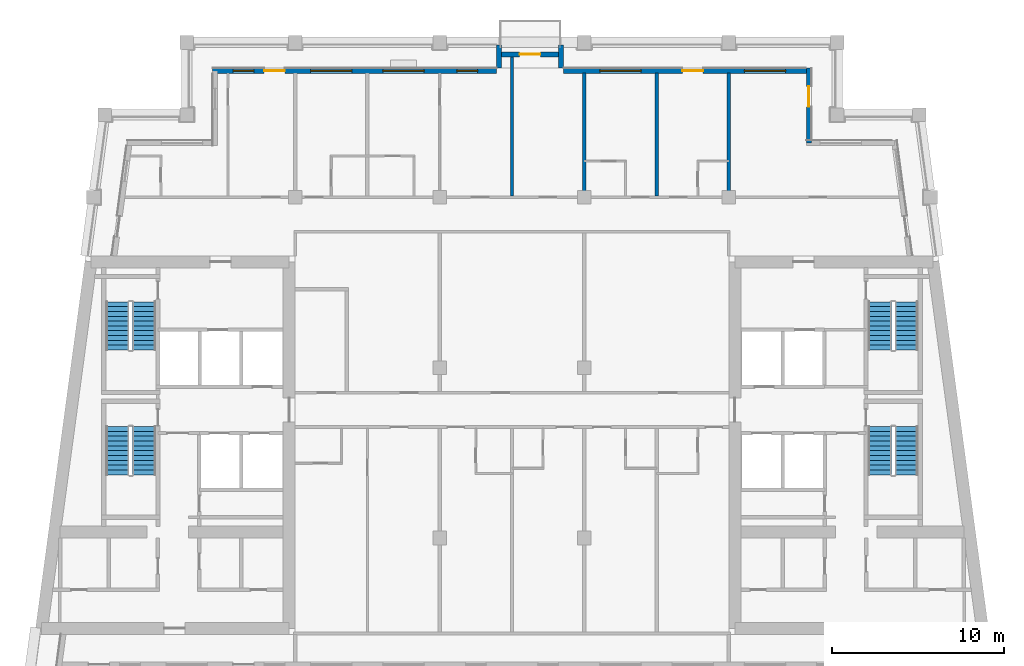
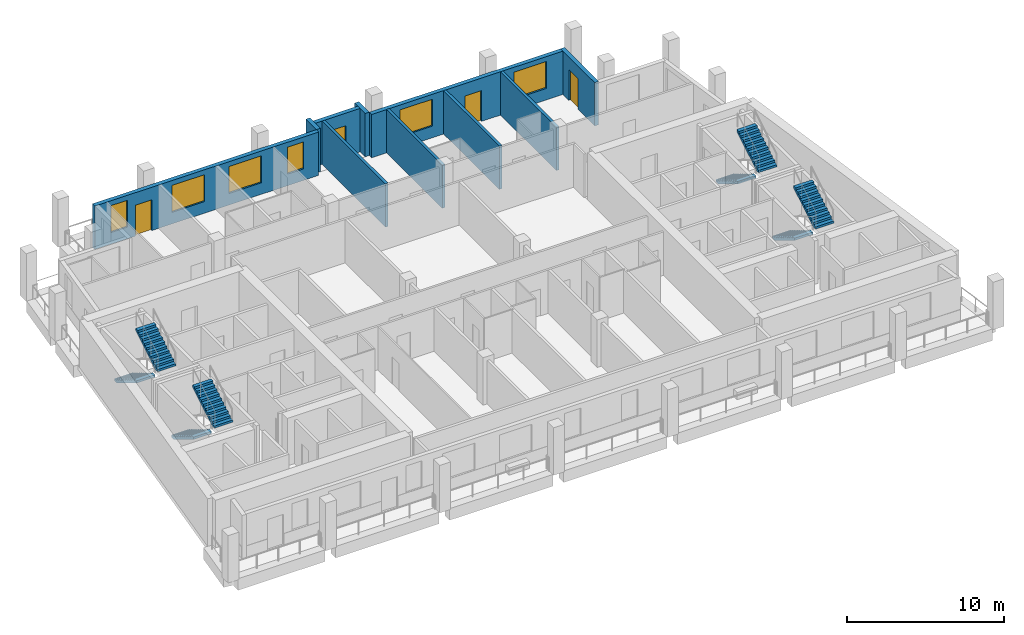
# One storey, part 7 of 13: 10 walls, 8 stair flights, 6 windows, 4 doors, 10 openings, 4 elements without a shape of their own.
"""IFC4 building model written with IfcOpenShell, lengths in metres."""

import ifcopenshell
import ifcopenshell.guid

model = None  # the IFC model being written
_history = None  # IfcOwnerHistory: only IFC2X3 demands one
_inside = {}  # id of a spatial element -> (the spatial element, [elements in it])
_under = {}  # id of a project, library or spatial element -> (it, [spatial elements below it])
_declared = {}  # id of a project -> (the project, [libraries it declares])
_typed = {}  # id of a type object -> (the type object, [elements of that type])
_made_of = {}  # id of a material, layer set ... -> (it, [elements and type objects made of it])


def new_model(schema):
    """Start an empty IFC model of exactly this schema.

    Asked for "IFC4X3", IfcOpenShell would pick the latest addendum, in which some entities
    have other attributes; the version numbers below select the first issue.
    IFC2X3 requires an IfcOwnerHistory on every rooted entity: one is made here for all.
    """
    global model, _history
    if schema == "IFC4X3":
        model = ifcopenshell.file(schema_version=(4, 3, 0, 0))
    else:
        model = ifcopenshell.file(schema=schema)
    _inside.clear()
    _under.clear()
    _declared.clear()
    _typed.clear()
    _made_of.clear()
    _history = None
    if model.schema == "IFC2X3":
        org = make("IfcOrganization", Name="unknown")
        user = make(
            "IfcPersonAndOrganization",
            ThePerson=make("IfcPerson", FamilyName="unknown"),
            TheOrganization=org,
        )
        app = make(
            "IfcApplication",
            ApplicationDeveloper=org,
            Version="unknown",
            ApplicationFullName="unknown",
            ApplicationIdentifier="unknown",
        )
        _history = make(
            "IfcOwnerHistory",
            OwningUser=user,
            OwningApplication=app,
            ChangeAction="ADDED",
            CreationDate=0,
        )
    return model


def make(cls, **values):
    """One entity of the class cls with the attributes given. An attribute that is None is left unset."""
    return model.create_entity(
        cls, **{name: value for name, value in values.items() if value is not None}
    )


def rooted(cls, **values):
    """An entity with a GlobalId (a new one), such as an element, a storey or a relation."""
    return make(cls, GlobalId=ifcopenshell.guid.new(), OwnerHistory=_history, **values)


def si_unit(unit_type, name, prefix=None):
    """IfcSIUnit, for example si_unit("LENGTHUNIT", "METRE", prefix="MILLI")."""
    return make("IfcSIUnit", UnitType=unit_type, Prefix=prefix, Name=name)


def assignment(units):
    """IfcUnitAssignment: the units of a project."""
    return None if units is None else make("IfcUnitAssignment", Units=units)


def point(xyz):
    """IfcCartesianPoint."""
    return None if xyz is None else make("IfcCartesianPoint", Coordinates=xyz)


def direction(xyz):
    """IfcDirection."""
    return None if xyz is None else make("IfcDirection", DirectionRatios=xyz)


def frame(location, z_axis=None, x_axis=None):
    """IfcAxis2Placement3D, a coordinate frame: its origin and axes. An axis left out is left unset."""
    return make(
        "IfcAxis2Placement3D",
        Location=point(location),
        Axis=direction(z_axis),
        RefDirection=direction(x_axis),
    )


def frame_2d(location, x_axis=None):
    """IfcAxis2Placement2D, a coordinate frame in the plane: its origin and x axis."""
    return make(
        "IfcAxis2Placement2D", Location=point(location), RefDirection=direction(x_axis)
    )


def origin():
    """The frame at (0, 0, 0) with its axes left unset."""
    return frame((0.0, 0.0, 0.0))


def place(relative_to, where):
    """IfcLocalPlacement: puts the frame where relative to a parent placement (None: the world)."""
    return make(
        "IfcLocalPlacement", PlacementRelTo=relative_to, RelativePlacement=where
    )


def context(
    kind, dimensions, precision=None, world=None, true_north=None, identifier=None
):
    """IfcGeometricRepresentationContext, for example the 3D "Model" context."""
    return make(
        "IfcGeometricRepresentationContext",
        ContextIdentifier=identifier,
        ContextType=kind,
        CoordinateSpaceDimension=dimensions,
        Precision=precision,
        WorldCoordinateSystem=world,
        TrueNorth=true_north,
    )


def subcontext(parent, identifier, kind, view, scale=None):
    """IfcGeometricRepresentationSubContext, for example "Body" below "Model"."""
    return make(
        "IfcGeometricRepresentationSubContext",
        ContextIdentifier=identifier,
        ContextType=kind,
        ParentContext=parent,
        TargetScale=scale,
        TargetView=view,
    )


def project(units=None, contexts=None):
    """IfcProject with its units and contexts."""
    return rooted(
        "IfcProject",
        Name="project",
        RepresentationContexts=contexts,
        UnitsInContext=assignment(units),
    )


def spatial(cls, under=None, at=None, **own):
    """A site, building, storey or space (cls), placed at a placement, below another one or the project."""
    s = rooted(cls, ObjectPlacement=at, **own)
    if under is not None:
        _under.setdefault(under.id(), (under, []))[1].append(s)
    return s


def polyline(points):
    """IfcPolyline through the points."""
    return make("IfcPolyline", Points=[point(p) for p in points])


def profile(cls, at=None, kind="AREA", **sizes):
    """A parametric profile (cls). Its sizes go by their IFC names, for example OverallWidth=200.0."""
    return make(cls, ProfileType=kind, Position=at, **sizes)


def rectangle(**sizes):
    """IfcRectangleProfileDef."""
    return profile("IfcRectangleProfileDef", **sizes)


def outline(outer, holes=None, kind="AREA"):
    """IfcArbitraryClosedProfileDef: a profile drawn as a closed curve; with holes, ...WithVoids."""
    if holes is None:
        return make("IfcArbitraryClosedProfileDef", ProfileType=kind, OuterCurve=outer)
    return make(
        "IfcArbitraryProfileDefWithVoids",
        ProfileType=kind,
        OuterCurve=outer,
        InnerCurves=holes,
    )


def extrude(swept, where, along, depth):
    """IfcExtrudedAreaSolid: the profile swept, set in the frame where, extruded along a direction by depth."""
    return make(
        "IfcExtrudedAreaSolid",
        SweptArea=swept,
        Position=where,
        ExtrudedDirection=direction(along),
        Depth=depth,
    )


def shape(context_of_items, identifier, shape_type, items):
    """IfcShapeRepresentation: the items that make up one representation, for example the "Body"."""
    return make(
        "IfcShapeRepresentation",
        ContextOfItems=context_of_items,
        RepresentationIdentifier=identifier,
        RepresentationType=shape_type,
        Items=items,
    )


def material(Name=None, Category=None):
    """IfcMaterial."""
    return make("IfcMaterial", Name=Name, Category=Category)


def layer(
    of_material, thickness, ventilated=None, Name=None, Category=None, Priority=None
):
    """IfcMaterialLayer: one layer of a wall or slab, of a material (None: an air gap)."""
    return make(
        "IfcMaterialLayer",
        Material=of_material,
        LayerThickness=thickness,
        IsVentilated=ventilated,
        Name=Name,
        Category=Category,
        Priority=Priority,
    )


def layer_set(layers, Name=None):
    """IfcMaterialLayerSet."""
    return make("IfcMaterialLayerSet", MaterialLayers=layers, LayerSetName=Name)


def made_of(thing, what):
    """Note that an element or type object is made of a material, layer set ...; save() writes the relation."""
    if what is not None:
        _made_of.setdefault(what.id(), (what, []))[1].append(thing)
    return thing


def type_object(cls, material=None, **own):
    """A type object (cls), such as IfcWallType, which elements share."""
    return made_of(rooted(cls, **own), material)


def element(
    cls,
    number,
    at=None,
    inside=None,
    cuts=None,
    type_object=None,
    material=None,
    context=None,
    identifier="Body",
    shape_type=None,
    held_by="IfcProductDefinitionShape",
    body=None,
    shapes=None,
    **own,
):
    """One element of the class cls, such as IfcWall. Its Tag is "e" and its number.

    at: its placement. inside: the storey or other place that contains it. cuts: it is an
    opening in that element (IfcRelVoidsElement). A single representation is given by context,
    identifier, shape_type and body (its items); several are given by shapes. held_by: the class
    of the entity that holds the representations. save() writes the other relations.
    """
    e = rooted(cls, Tag="e%d" % number, ObjectPlacement=at, **own)
    if body is not None:
        shapes = [shape(context, identifier, shape_type, body)]
    if shapes is not None:
        e.Representation = make(held_by, Representations=shapes)
    if inside is not None:
        _inside.setdefault(inside.id(), (inside, []))[1].append(e)
    if cuts is not None:
        rooted(
            "IfcRelVoidsElement", RelatingBuildingElement=cuts, RelatedOpeningElement=e
        )
    if type_object is not None:
        _typed.setdefault(type_object.id(), (type_object, []))[1].append(e)
    return made_of(e, material)


def fill(opening, filler):
    """IfcRelFillsElement: the door or window that sits in an opening."""
    return rooted(
        "IfcRelFillsElement",
        RelatingOpeningElement=opening,
        RelatedBuildingElement=filler,
    )


def aggregate(whole, parts):
    """IfcRelAggregates: a whole, such as a stair, and the parts it consists of."""
    return rooted("IfcRelAggregates", RelatingObject=whole, RelatedObjects=parts)


def save(model, path):
    """Write the relations noted so far, then the file.

    IfcRelAggregates (storeys below a building ...), IfcRelContainedInSpatialStructure (elements
    in a storey), IfcRelDefinesByType, IfcRelAssociatesMaterial and IfcRelDeclares: one each for
    every whole, place, type object, material and project.
    """
    for whole, parts in _under.values():
        aggregate(whole, parts)
    for where, things in _inside.values():
        rooted(
            "IfcRelContainedInSpatialStructure",
            RelatedElements=things,
            RelatingStructure=where,
        )
    for kind, things in _typed.values():
        rooted("IfcRelDefinesByType", RelatedObjects=things, RelatingType=kind)
    for what, things in _made_of.values():
        rooted("IfcRelAssociatesMaterial", RelatedObjects=things, RelatingMaterial=what)
    for by, libraries in _declared.values():
        rooted("IfcRelDeclares", RelatingContext=by, RelatedDefinitions=libraries)
    model.write(path)


model = new_model("IFC4")

# Units and contexts
model_context = context("Model", 3, precision=1e-05, world=origin(), true_north=direction((0.0, 1.0)))
body_context = subcontext(model_context, "Body", "Model", "MODEL_VIEW")
ifc_project = project(units=[si_unit("LENGTHUNIT", "METRE"), si_unit("AREAUNIT", "SQUARE_METRE"), si_unit("VOLUMEUNIT", "CUBIC_METRE"), si_unit("PLANEANGLEUNIT", "RADIAN"), si_unit("MASSUNIT", "GRAM", prefix="KILO")], contexts=[model_context])

# Site, building, storey
site_placement = place(None, origin())
site = spatial("IfcSite", under=ifc_project, at=site_placement, CompositionType="ELEMENT")
building_placement = place(site_placement, origin())
building = spatial("IfcBuilding", under=site, at=building_placement, Name="Candeia Pilgrim Tower and Theatre", CompositionType="ELEMENT")
storey_placement = place(building_placement, frame((0.0, 0.0, 277.5)))
storey = spatial("IfcBuildingStorey", under=building, at=storey_placement, Name="L67", CompositionType="ELEMENT", Elevation=277.5)

# Wall, opening, door
ifc_material_1 = material(Name="Ceramic block masonry", Category="masonry")
ifc_layer_1 = layer(ifc_material_1, 0.300048828125)
ifc_layer_set_1 = layer_set([ifc_layer_1], Name="EW1 glazing-line wall 300")
wall_type_1 = type_object("IfcWallType", Name="EW1 glazing-line wall 300", PredefinedType="SOLIDWALL", material=ifc_layer_set_1)
wall_1_placement = place(storey_placement, frame((130.64990234375, 138.949951171875, 0.0), z_axis=(0.0, 0.0, 1.0), x_axis=(0.0, 1.0, 0.0)))
wall_1 = element("IfcWall", 1, at=wall_1_placement, inside=storey, type_object=wall_type_1, Name="External wall L67-4.0", PredefinedType="SOLIDWALL", context=body_context, shape_type="SweptSolid", body=[
    extrude(rectangle(XDim=4.35009765625, YDim=0.300048828125, at=frame_2d((2.175048828125, 0.0))), origin(), (0.0, 0.0, 1.0), 3.3798828125),
])
opening_1_placement = place(wall_1_placement, frame((2.10009765625, 0.0, 0.0)))
opening_1 = element("IfcOpeningElement", 2, at=opening_1_placement, cuts=wall_1, Name="Opening L67-ED632", PredefinedType="OPENING", context=body_context, shape_type="SweptSolid", body=[
    extrude(rectangle(XDim=1.199951171875, YDim=2.39990234375, at=frame_2d((0.60009765625, 1.199951171875))), frame((0.0, 0.16015625, 0.0), z_axis=(0.0, -1.0, 0.0), x_axis=(1.0, 0.0, 0.0)), (0.0, 0.0, 1.0), 0.320068359375),
])
ifc_material_2 = material(Name="Aluminium framed glazed door", Category="aluminium")
door_type = type_object("IfcDoorType", Name="Loggia door 1200x2400", OperationType="DOUBLE_DOOR_SINGLE_SWING", PredefinedType="DOOR", material=ifc_material_2)
door_1_placement = place(opening_1_placement, origin())
door_1 = element("IfcDoor", 3, at=door_1_placement, inside=storey, type_object=door_type, Name="Loggia door L67-ED632", OperationType="DOUBLE_DOOR_SINGLE_SWING", OverallHeight=2.39990234375, OverallWidth=1.199951171875, PredefinedType="DOOR", context=body_context, shape_type="SweptSolid", body=[
    extrude(rectangle(XDim=1.199951171875, YDim=2.39990234375, at=frame_2d((0.60009765625, 1.199951171875))), frame((0.0, 0.02490234375, 0.0), z_axis=(0.0, -1.0, 0.0), x_axis=(1.0, 0.0, 0.0)), (0.0, 0.0, 1.0), 0.050048828125),
])
fill(opening_1, door_1)

# Wall, openings, door, windows
wall_2_placement = place(storey_placement, frame((130.64990234375, 143.14990234375, 0.0), z_axis=(0.0, 0.0, 1.0), x_axis=(-1.0, 0.0, 0.0)))
wall_2 = element("IfcWall", 4, at=wall_2_placement, inside=storey, type_object=wall_type_1, Name="External wall L67-5.0", PredefinedType="SOLIDWALL", context=body_context, shape_type="SweptSolid", body=[
    extrude(rectangle(XDim=14.25, YDim=0.300048828125, at=frame_2d((7.125, 0.0))), origin(), (0.0, 0.0, 1.0), 3.3798828125),
])
opening_2_placement = place(wall_2_placement, frame((1.35009765625, 0.0, 0.89990234375)))
opening_2 = element("IfcOpeningElement", 5, at=opening_2_placement, cuts=wall_2, Name="Opening W-A", PredefinedType="OPENING", context=body_context, shape_type="SweptSolid", body=[
    extrude(rectangle(XDim=2.39990234375, YDim=2.10009765625, at=frame_2d((1.199951171875, 1.050048828125))), frame((0.0, 0.16015625, 0.0), z_axis=(0.0, -1.0, 0.0), x_axis=(1.0, 0.0, 0.0)), (0.0, 0.0, 1.0), 0.320068359375),
])
opening_3_placement = place(wall_2_placement, frame((6.14990234375, 0.0, 0.0)))
opening_3 = element("IfcOpeningElement", 6, at=opening_3_placement, cuts=wall_2, Name="Opening L67-ED633", PredefinedType="OPENING", context=body_context, shape_type="SweptSolid", body=[
    extrude(rectangle(XDim=1.199951171875, YDim=2.39990234375, at=frame_2d((0.60009765625, 1.199951171875))), frame((0.0, 0.16015625, 0.0), z_axis=(0.0, -1.0, 0.0), x_axis=(1.0, 0.0, 0.0)), (0.0, 0.0, 1.0), 0.320068359375),
])
opening_4_placement = place(wall_2_placement, frame((9.75, 0.0, 0.89990234375)))
opening_4 = element("IfcOpeningElement", 7, at=opening_4_placement, cuts=wall_2, Name="Opening W-A", PredefinedType="OPENING", context=body_context, shape_type="SweptSolid", body=[
    extrude(rectangle(XDim=2.39990234375, YDim=2.10009765625, at=frame_2d((1.199951171875, 1.050048828125))), frame((0.0, 0.16015625, 0.0), z_axis=(0.0, -1.0, 0.0), x_axis=(1.0, 0.0, 0.0)), (0.0, 0.0, 1.0), 0.320068359375),
])
door_2_placement = place(opening_3_placement, origin())
door_2 = element("IfcDoor", 8, at=door_2_placement, inside=storey, type_object=door_type, Name="Loggia door L67-ED633", OperationType="DOUBLE_DOOR_SINGLE_SWING", OverallHeight=2.39990234375, OverallWidth=1.199951171875, PredefinedType="DOOR", context=body_context, shape_type="SweptSolid", body=[
    extrude(rectangle(XDim=1.199951171875, YDim=2.39990234375, at=frame_2d((0.60009765625, 1.199951171875))), frame((0.0, 0.02490234375, 0.0), z_axis=(0.0, -1.0, 0.0), x_axis=(1.0, 0.0, 0.0)), (0.0, 0.0, 1.0), 0.050048828125),
])
fill(opening_3, door_2)
ifc_material_3 = material(Name="Aluminium framed double glazing", Category="aluminium")
window_type_1 = type_object("IfcWindowType", Name="W-A window 2400x2100", PartitioningType="DOUBLE_PANEL_VERTICAL", PredefinedType="WINDOW", material=ifc_material_3)
window_1_placement = place(opening_2_placement, origin())
window_1 = element("IfcWindow", 9, at=window_1_placement, inside=storey, type_object=window_type_1, Name="Window W-A L67", OverallHeight=2.10009765625, OverallWidth=2.39990234375, PartitioningType="SINGLE_PANEL", PredefinedType="WINDOW", context=body_context, shape_type="SweptSolid", body=[
    extrude(rectangle(XDim=2.39990234375, YDim=2.10009765625, at=frame_2d((1.199951171875, 1.050048828125))), frame((0.0, 0.030029296875, 0.0), z_axis=(0.0, -1.0, 0.0), x_axis=(1.0, 0.0, 0.0)), (0.0, 0.0, 1.0), 0.06005859375),
])
fill(opening_2, window_1)
window_2_placement = place(opening_4_placement, origin())
window_2 = element("IfcWindow", 10, at=window_2_placement, inside=storey, type_object=window_type_1, Name="Window W-A L67", OverallHeight=2.10009765625, OverallWidth=2.39990234375, PartitioningType="SINGLE_PANEL", PredefinedType="WINDOW", context=body_context, shape_type="SweptSolid", body=[
    extrude(rectangle(XDim=2.39990234375, YDim=2.10009765625, at=frame_2d((1.199951171875, 1.050048828125))), frame((0.0, 0.030029296875, 0.0), z_axis=(0.0, -1.0, 0.0), x_axis=(1.0, 0.0, 0.0)), (0.0, 0.0, 1.0), 0.06005859375),
])
fill(opening_4, window_2)

wall_3_placement = place(storey_placement, frame((112.5, 143.14990234375, 0.0), z_axis=(0.0, 0.0, 1.0), x_axis=(-1.0, 0.0, 0.0)))
wall_3 = element("IfcWall", 11, at=wall_3_placement, inside=storey, type_object=wall_type_1, Name="External wall L67-5.1", PredefinedType="SOLIDWALL", context=body_context, shape_type="SweptSolid", body=[
    extrude(rectangle(XDim=16.5, YDim=0.300048828125, at=frame_2d((8.25, 0.0))), origin(), (0.0, 0.0, 1.0), 3.3798828125),
])
opening_5_placement = place(wall_3_placement, frame((1.10009765625, 0.0, 0.89990234375)))
opening_5 = element("IfcOpeningElement", 12, at=opening_5_placement, cuts=wall_3, Name="Opening W-B", PredefinedType="OPENING", context=body_context, shape_type="SweptSolid", body=[
    extrude(rectangle(XDim=1.199951171875, YDim=2.10009765625, at=frame_2d((0.60009765625, 1.050048828125))), frame((0.0, 0.16015625, 0.0), z_axis=(0.0, -1.0, 0.0), x_axis=(1.0, 0.0, 0.0)), (0.0, 0.0, 1.0), 0.320068359375),
])
opening_6_placement = place(wall_3_placement, frame((4.199951171875, 0.0, 0.89990234375)))
opening_6 = element("IfcOpeningElement", 13, at=opening_6_placement, cuts=wall_3, Name="Opening W-A", PredefinedType="OPENING", context=body_context, shape_type="SweptSolid", body=[
    extrude(rectangle(XDim=2.39990234375, YDim=2.10009765625, at=frame_2d((1.199951171875, 1.050048828125))), frame((0.0, 0.16015625, 0.0), z_axis=(0.0, -1.0, 0.0), x_axis=(1.0, 0.0, 0.0)), (0.0, 0.0, 1.0), 0.320068359375),
])
opening_7_placement = place(wall_3_placement, frame((8.39990234375, 0.0, 0.89990234375)))
opening_7 = element("IfcOpeningElement", 14, at=opening_7_placement, cuts=wall_3, Name="Opening W-A", PredefinedType="OPENING", context=body_context, shape_type="SweptSolid", body=[
    extrude(rectangle(XDim=2.39990234375, YDim=2.10009765625, at=frame_2d((1.199951171875, 1.050048828125))), frame((0.0, 0.16015625, 0.0), z_axis=(0.0, -1.0, 0.0), x_axis=(1.0, 0.0, 0.0)), (0.0, 0.0, 1.0), 0.320068359375),
])
opening_8_placement = place(wall_3_placement, frame((12.300048828125, 0.0, 0.0)))
opening_8 = element("IfcOpeningElement", 15, at=opening_8_placement, cuts=wall_3, Name="Opening L67-ED634", PredefinedType="OPENING", context=body_context, shape_type="SweptSolid", body=[
    extrude(rectangle(XDim=1.199951171875, YDim=2.39990234375, at=frame_2d((0.60009765625, 1.199951171875))), frame((0.0, 0.16015625, 0.0), z_axis=(0.0, -1.0, 0.0), x_axis=(1.0, 0.0, 0.0)), (0.0, 0.0, 1.0), 0.320068359375),
])
opening_9_placement = place(wall_3_placement, frame((14.10009765625, 0.0, 0.89990234375)))
opening_9 = element("IfcOpeningElement", 16, at=opening_9_placement, cuts=wall_3, Name="Opening W-B", PredefinedType="OPENING", context=body_context, shape_type="SweptSolid", body=[
    extrude(rectangle(XDim=1.199951171875, YDim=2.10009765625, at=frame_2d((0.60009765625, 1.050048828125))), frame((0.0, 0.16015625, 0.0), z_axis=(0.0, -1.0, 0.0), x_axis=(1.0, 0.0, 0.0)), (0.0, 0.0, 1.0), 0.320068359375),
])
door_3_placement = place(opening_8_placement, origin())
door_3 = element("IfcDoor", 17, at=door_3_placement, inside=storey, type_object=door_type, Name="Loggia door L67-ED634", OperationType="DOUBLE_DOOR_SINGLE_SWING", OverallHeight=2.39990234375, OverallWidth=1.199951171875, PredefinedType="DOOR", context=body_context, shape_type="SweptSolid", body=[
    extrude(rectangle(XDim=1.199951171875, YDim=2.39990234375, at=frame_2d((0.60009765625, 1.199951171875))), frame((0.0, 0.02490234375, 0.0), z_axis=(0.0, -1.0, 0.0), x_axis=(1.0, 0.0, 0.0)), (0.0, 0.0, 1.0), 0.050048828125),
])
fill(opening_8, door_3)
window_3_placement = place(opening_6_placement, origin())
window_3 = element("IfcWindow", 18, at=window_3_placement, inside=storey, type_object=window_type_1, Name="Window W-A L67", OverallHeight=2.10009765625, OverallWidth=2.39990234375, PartitioningType="SINGLE_PANEL", PredefinedType="WINDOW", context=body_context, shape_type="SweptSolid", body=[
    extrude(rectangle(XDim=2.39990234375, YDim=2.10009765625, at=frame_2d((1.199951171875, 1.050048828125))), frame((0.0, 0.030029296875, 0.0), z_axis=(0.0, -1.0, 0.0), x_axis=(1.0, 0.0, 0.0)), (0.0, 0.0, 1.0), 0.06005859375),
])
fill(opening_6, window_3)
window_4_placement = place(opening_7_placement, origin())
window_4 = element("IfcWindow", 19, at=window_4_placement, inside=storey, type_object=window_type_1, Name="Window W-A L67", OverallHeight=2.10009765625, OverallWidth=2.39990234375, PartitioningType="SINGLE_PANEL", PredefinedType="WINDOW", context=body_context, shape_type="SweptSolid", body=[
    extrude(rectangle(XDim=2.39990234375, YDim=2.10009765625, at=frame_2d((1.199951171875, 1.050048828125))), frame((0.0, 0.030029296875, 0.0), z_axis=(0.0, -1.0, 0.0), x_axis=(1.0, 0.0, 0.0)), (0.0, 0.0, 1.0), 0.06005859375),
])
fill(opening_7, window_4)
window_type_2 = type_object("IfcWindowType", Name="W-B window 1200x2100", PartitioningType="SINGLE_PANEL", PredefinedType="WINDOW", material=ifc_material_3)
window_5_placement = place(opening_5_placement, origin())
window_5 = element("IfcWindow", 20, at=window_5_placement, inside=storey, type_object=window_type_2, Name="Window W-B L67", OverallHeight=2.10009765625, OverallWidth=1.199951171875, PartitioningType="SINGLE_PANEL", PredefinedType="WINDOW", context=body_context, shape_type="SweptSolid", body=[
    extrude(rectangle(XDim=1.199951171875, YDim=2.10009765625, at=frame_2d((0.60009765625, 1.050048828125))), frame((0.0, 0.030029296875, 0.0), z_axis=(0.0, -1.0, 0.0), x_axis=(1.0, 0.0, 0.0)), (0.0, 0.0, 1.0), 0.06005859375),
])
fill(opening_5, window_5)
window_6_placement = place(opening_9_placement, origin())
window_6 = element("IfcWindow", 21, at=window_6_placement, inside=storey, type_object=window_type_2, Name="Window W-B L67", OverallHeight=2.10009765625, OverallWidth=1.199951171875, PartitioningType="SINGLE_PANEL", PredefinedType="WINDOW", context=body_context, shape_type="SweptSolid", body=[
    extrude(rectangle(XDim=1.199951171875, YDim=2.10009765625, at=frame_2d((0.60009765625, 1.050048828125))), frame((0.0, 0.030029296875, 0.0), z_axis=(0.0, -1.0, 0.0), x_axis=(1.0, 0.0, 0.0)), (0.0, 0.0, 1.0), 0.06005859375),
])
fill(opening_9, window_6)

# Walls
ifc_layer_2 = layer(ifc_material_1, 0.300048828125)
ifc_layer_set_2 = layer_set([ifc_layer_2], Name="EW2 entrance infill wall 300")
wall_type_2 = type_object("IfcWallType", Name="EW2 entrance infill wall 300", PredefinedType="SOLIDWALL", material=ifc_layer_set_2)
for number, where, z_axis, x_axis, name in (
    (22, (116.25, 143.300048828125, 0.0), (0.0, 0.0, 1.0), (0.0, 1.0, 0.0), "Alcove wall L67"),
    (23, (112.64990234375, 143.300048828125, 0.0), (0.0, 0.0, 1.0), (0.0, 1.0, 0.0), "Alcove wall L67"),
):
    element("IfcWall", number, at=place(storey_placement, frame(where, z_axis=z_axis, x_axis=x_axis)), inside=storey, type_object=wall_type_2, Name=name, PredefinedType="SOLIDWALL", context=body_context, shape_type="SweptSolid", body=[
        extrude(rectangle(XDim=1.349853515625, YDim=0.300048828125, at=frame_2d((0.6748046875, 0.0))), origin(), (0.0, 0.0, 1.0), 3.3798828125),
    ])

# Wall, opening, door
wall_4_placement = place(storey_placement, frame((116.39990234375, 144.10009765625, 0.0), z_axis=(0.0, 0.0, 1.0), x_axis=(-1.0, 0.0, 0.0)))
wall_4 = element("IfcWall", 24, at=wall_4_placement, inside=storey, type_object=wall_type_2, Name="Alcove wall L67", PredefinedType="SOLIDWALL", context=body_context, shape_type="SweptSolid", body=[
    extrude(rectangle(XDim=3.89990234375, YDim=0.300048828125, at=frame_2d((1.949951171875, 0.0))), origin(), (0.0, 0.0, 1.0), 3.3798828125),
])
opening_10_placement = place(wall_4_placement, frame((1.35009765625, 0.0, 0.0)))
opening_10 = element("IfcOpeningElement", 25, at=opening_10_placement, cuts=wall_4, Name="Opening L67-ED635", PredefinedType="OPENING", context=body_context, shape_type="SweptSolid", body=[
    extrude(rectangle(XDim=1.199951171875, YDim=2.39990234375, at=frame_2d((0.60009765625, 1.199951171875))), frame((0.0, 0.16015625, 0.0), z_axis=(0.0, -1.0, 0.0), x_axis=(1.0, 0.0, 0.0)), (0.0, 0.0, 1.0), 0.320068359375),
])
door_4_placement = place(opening_10_placement, origin())
door_4 = element("IfcDoor", 26, at=door_4_placement, inside=storey, type_object=door_type, Name="Balcony door L67-ED635", OperationType="DOUBLE_DOOR_SINGLE_SWING", OverallHeight=2.39990234375, OverallWidth=1.199951171875, PredefinedType="DOOR", context=body_context, shape_type="SweptSolid", body=[
    extrude(rectangle(XDim=1.199951171875, YDim=2.39990234375, at=frame_2d((0.60009765625, 1.199951171875))), frame((0.0, 0.02490234375, 0.0), z_axis=(0.0, -1.0, 0.0), x_axis=(1.0, 0.0, 0.0)), (0.0, 0.0, 1.0), 0.050048828125),
])
fill(opening_10, door_4)

# Walls
ifc_material_4 = material(Name="Gypsum board partition on steel studs", Category="steel")
ifc_layer_3 = layer(ifc_material_4, 0.199951171875)
ifc_layer_set_3 = layer_set([ifc_layer_3], Name="PW-200 party wall")
wall_type_3 = type_object("IfcWallType", Name="PW-200 party wall", PredefinedType="PARTITIONING", material=ifc_layer_set_3)
wall_5_placement = place(storey_placement, frame((113.39990234375, 135.875, 0.0), z_axis=(0.0, 0.0, 1.0), x_axis=(0.0, 1.0, 0.0)))
element("IfcWall", 27, at=wall_5_placement, inside=storey, type_object=wall_type_3, Name="Party wall L67-075", PredefinedType="PARTITIONING", context=body_context, shape_type="SweptSolid", body=[
    extrude(rectangle(XDim=8.0849609375, YDim=0.199951171875, at=frame_2d((4.04248046875, 0.0))), origin(), (0.0, 0.0, 1.0), 3.3798828125),
])
for number, where, z_axis, x_axis, name in (
    (28, (117.60009765625, 135.875, 0.0), (0.0, 0.0, 1.0), (0.0, 1.0, 0.0), "Party wall L67-079"),
    (29, (121.800048828125, 135.875, 0.0), (0.0, 0.0, 1.0), (0.0, 1.0, 0.0), "Party wall L67-083"),
    (30, (126.0, 135.875, 0.0), (0.0, 0.0, 1.0), (0.0, 1.0, 0.0), "Party wall L67-087"),
):
    element("IfcWall", number, at=place(storey_placement, frame(where, z_axis=z_axis, x_axis=x_axis)), inside=storey, type_object=wall_type_3, Name=name, PredefinedType="PARTITIONING", context=body_context, shape_type="SweptSolid", body=[
        extrude(rectangle(XDim=7.135009765625, YDim=0.199951171875, at=frame_2d((3.5673828125, 0.0))), origin(), (0.0, 0.0, 1.0), 3.3798828125),
    ])

# Stair, stair flights
ifc_material_5 = material(Name="Concrete C40/50", Category="concrete")
stair_type = type_object("IfcStairType", Name="ST-TWR dog-leg escape stair", PredefinedType="HALF_TURN_STAIR", material=ifc_material_5)
stair_1_placement = place(storey_placement, origin())
stair_1 = element("IfcStair", 31, at=stair_1_placement, inside=storey, type_object=stair_type, Name="L67 Escape stair ST1", PredefinedType="HALF_TURN_STAIR")
stair_flight_type = type_object("IfcStairFlightType", Name="SFL-RC stair flight", PredefinedType="STRAIGHT", material=ifc_material_5)
stair_flight_1_placement = place(storey_placement, frame((90.47705078125, 122.47509765625, 0.0), z_axis=(0.0, 0.0, 1.0), x_axis=(0.0, -1.0, 0.0)))
stair_flight_1 = element("IfcStairFlight", 32, at=stair_flight_1_placement, type_object=stair_flight_type, Name="ST1 flight 1", NumberOfRisers=11, NumberOfTreads=10, PredefinedType="STRAIGHT", RiserHeight=0.168181818, TreadLength=0.28, context=body_context, shape_type="SweptSolid", body=[
    extrude(outline(polyline([(0.0, 0.0), (0.0, 0.168212890625), (0.280029296875, 0.168212890625), (0.280029296875, 0.33642578125), (0.56005859375, 0.33642578125), (0.56005859375, 0.504638671875), (0.840087890625, 0.504638671875), (0.840087890625, 0.672607421875), (1.1201171875, 0.672607421875), (1.1201171875, 0.8408203125), (1.39990234375, 0.8408203125), (1.39990234375, 1.009033203125), (1.679931640625, 1.009033203125), (1.679931640625, 1.17724609375), (1.9599609375, 1.17724609375), (1.9599609375, 1.345458984375), (2.239990234375, 1.345458984375), (2.239990234375, 1.513671875), (2.52001953125, 1.513671875), (2.52001953125, 1.681884765625), (2.800048828125, 1.681884765625), (2.800048828125, 1.85009765625), (2.800048828125, 1.5068359375), (0.291015625, 0.0), (0.0, 0.0)])), frame((0.0, 0.675048828125, 0.0), z_axis=(0.0, -1.0, 0.0), x_axis=(1.0, 0.0, 0.0)), (0.0, 0.0, 1.0), 1.35009765625),
])
stair_flight_2_placement = place(storey_placement, frame((92.027099609375, 119.675048828125, 1.85009765625), z_axis=(0.0, 0.0, 1.0), x_axis=(0.0, 1.0, 0.0)))
stair_flight_2 = element("IfcStairFlight", 33, at=stair_flight_2_placement, type_object=stair_flight_type, Name="ST1 flight 2", NumberOfRisers=11, NumberOfTreads=10, PredefinedType="STRAIGHT", RiserHeight=0.168181818, TreadLength=0.28, context=body_context, shape_type="SweptSolid", body=[
    extrude(outline(polyline([(0.0, 0.0), (0.0, 0.168212890625), (0.280029296875, 0.168212890625), (0.280029296875, 0.33642578125), (0.56005859375, 0.33642578125), (0.56005859375, 0.504638671875), (0.840087890625, 0.504638671875), (0.840087890625, 0.672607421875), (1.1201171875, 0.672607421875), (1.1201171875, 0.8408203125), (1.39990234375, 0.8408203125), (1.39990234375, 1.009033203125), (1.679931640625, 1.009033203125), (1.679931640625, 1.17724609375), (1.9599609375, 1.17724609375), (1.9599609375, 1.345458984375), (2.239990234375, 1.345458984375), (2.239990234375, 1.513671875), (2.52001953125, 1.513671875), (2.52001953125, 1.681884765625), (2.800048828125, 1.681884765625), (2.800048828125, 1.85009765625), (2.800048828125, 1.5068359375), (0.291015625, 0.0), (0.0, 0.0)])), frame((0.0, 0.675048828125, 0.0), z_axis=(0.0, -1.0, 0.0), x_axis=(1.0, 0.0, 0.0)), (0.0, 0.0, 1.0), 1.35009765625),
])
aggregate(stair_1, [stair_flight_1, stair_flight_2])

stair_2_placement = place(storey_placement, origin())
stair_2 = element("IfcStair", 34, at=stair_2_placement, inside=storey, type_object=stair_type, Name="L67 Escape stair ST2", PredefinedType="HALF_TURN_STAIR")
stair_flight_3_placement = place(storey_placement, frame((90.47705078125, 129.72509765625, 0.0), z_axis=(0.0, 0.0, 1.0), x_axis=(0.0, -1.0, 0.0)))
stair_flight_3 = element("IfcStairFlight", 35, at=stair_flight_3_placement, type_object=stair_flight_type, Name="ST2 flight 1", NumberOfRisers=11, NumberOfTreads=10, PredefinedType="STRAIGHT", RiserHeight=0.168181818, TreadLength=0.28, context=body_context, shape_type="SweptSolid", body=[
    extrude(outline(polyline([(0.0, 0.0), (0.0, 0.168212890625), (0.280029296875, 0.168212890625), (0.280029296875, 0.33642578125), (0.56005859375, 0.33642578125), (0.56005859375, 0.504638671875), (0.840087890625, 0.504638671875), (0.840087890625, 0.672607421875), (1.1201171875, 0.672607421875), (1.1201171875, 0.8408203125), (1.39990234375, 0.8408203125), (1.39990234375, 1.009033203125), (1.679931640625, 1.009033203125), (1.679931640625, 1.17724609375), (1.9599609375, 1.17724609375), (1.9599609375, 1.345458984375), (2.239990234375, 1.345458984375), (2.239990234375, 1.513671875), (2.52001953125, 1.513671875), (2.52001953125, 1.681884765625), (2.800048828125, 1.681884765625), (2.800048828125, 1.85009765625), (2.800048828125, 1.5068359375), (0.291015625, 0.0), (0.0, 0.0)])), frame((0.0, 0.675048828125, 0.0), z_axis=(0.0, -1.0, 0.0), x_axis=(1.0, 0.0, 0.0)), (0.0, 0.0, 1.0), 1.35009765625),
])
stair_flight_4_placement = place(storey_placement, frame((92.027099609375, 126.925048828125, 1.85009765625), z_axis=(0.0, 0.0, 1.0), x_axis=(0.0, 1.0, 0.0)))
stair_flight_4 = element("IfcStairFlight", 36, at=stair_flight_4_placement, type_object=stair_flight_type, Name="ST2 flight 2", NumberOfRisers=11, NumberOfTreads=10, PredefinedType="STRAIGHT", RiserHeight=0.168181818, TreadLength=0.28, context=body_context, shape_type="SweptSolid", body=[
    extrude(outline(polyline([(0.0, 0.0), (0.0, 0.168212890625), (0.280029296875, 0.168212890625), (0.280029296875, 0.33642578125), (0.56005859375, 0.33642578125), (0.56005859375, 0.504638671875), (0.840087890625, 0.504638671875), (0.840087890625, 0.672607421875), (1.1201171875, 0.672607421875), (1.1201171875, 0.8408203125), (1.39990234375, 0.8408203125), (1.39990234375, 1.009033203125), (1.679931640625, 1.009033203125), (1.679931640625, 1.17724609375), (1.9599609375, 1.17724609375), (1.9599609375, 1.345458984375), (2.239990234375, 1.345458984375), (2.239990234375, 1.513671875), (2.52001953125, 1.513671875), (2.52001953125, 1.681884765625), (2.800048828125, 1.681884765625), (2.800048828125, 1.85009765625), (2.800048828125, 1.5068359375), (0.291015625, 0.0), (0.0, 0.0)])), frame((0.0, 0.675048828125, 0.0), z_axis=(0.0, -1.0, 0.0), x_axis=(1.0, 0.0, 0.0)), (0.0, 0.0, 1.0), 1.35009765625),
])
aggregate(stair_2, [stair_flight_3, stair_flight_4])

stair_3_placement = place(storey_placement, origin())
stair_3 = element("IfcStair", 37, at=stair_3_placement, inside=storey, type_object=stair_type, Name="L67 Escape stair ST3", PredefinedType="HALF_TURN_STAIR")
stair_flight_5_placement = place(storey_placement, frame((134.77294921875, 122.47509765625, 0.0), z_axis=(0.0, 0.0, 1.0), x_axis=(0.0, -1.0, 0.0)))
stair_flight_5 = element("IfcStairFlight", 38, at=stair_flight_5_placement, type_object=stair_flight_type, Name="ST3 flight 1", NumberOfRisers=11, NumberOfTreads=10, PredefinedType="STRAIGHT", RiserHeight=0.168181818, TreadLength=0.28, context=body_context, shape_type="SweptSolid", body=[
    extrude(outline(polyline([(0.0, 0.0), (0.0, 0.168212890625), (0.280029296875, 0.168212890625), (0.280029296875, 0.33642578125), (0.56005859375, 0.33642578125), (0.56005859375, 0.504638671875), (0.840087890625, 0.504638671875), (0.840087890625, 0.672607421875), (1.1201171875, 0.672607421875), (1.1201171875, 0.8408203125), (1.39990234375, 0.8408203125), (1.39990234375, 1.009033203125), (1.679931640625, 1.009033203125), (1.679931640625, 1.17724609375), (1.9599609375, 1.17724609375), (1.9599609375, 1.345458984375), (2.239990234375, 1.345458984375), (2.239990234375, 1.513671875), (2.52001953125, 1.513671875), (2.52001953125, 1.681884765625), (2.800048828125, 1.681884765625), (2.800048828125, 1.85009765625), (2.800048828125, 1.5068359375), (0.291015625, 0.0), (0.0, 0.0)])), frame((0.0, 0.675048828125, 0.0), z_axis=(0.0, -1.0, 0.0), x_axis=(1.0, 0.0, 0.0)), (0.0, 0.0, 1.0), 1.35009765625),
])
stair_flight_6_placement = place(storey_placement, frame((136.322998046875, 119.675048828125, 1.85009765625), z_axis=(0.0, 0.0, 1.0), x_axis=(0.0, 1.0, 0.0)))
stair_flight_6 = element("IfcStairFlight", 39, at=stair_flight_6_placement, type_object=stair_flight_type, Name="ST3 flight 2", NumberOfRisers=11, NumberOfTreads=10, PredefinedType="STRAIGHT", RiserHeight=0.168181818, TreadLength=0.28, context=body_context, shape_type="SweptSolid", body=[
    extrude(outline(polyline([(0.0, 0.0), (0.0, 0.168212890625), (0.280029296875, 0.168212890625), (0.280029296875, 0.33642578125), (0.56005859375, 0.33642578125), (0.56005859375, 0.504638671875), (0.840087890625, 0.504638671875), (0.840087890625, 0.672607421875), (1.1201171875, 0.672607421875), (1.1201171875, 0.8408203125), (1.39990234375, 0.8408203125), (1.39990234375, 1.009033203125), (1.679931640625, 1.009033203125), (1.679931640625, 1.17724609375), (1.9599609375, 1.17724609375), (1.9599609375, 1.345458984375), (2.239990234375, 1.345458984375), (2.239990234375, 1.513671875), (2.52001953125, 1.513671875), (2.52001953125, 1.681884765625), (2.800048828125, 1.681884765625), (2.800048828125, 1.85009765625), (2.800048828125, 1.5068359375), (0.291015625, 0.0), (0.0, 0.0)])), frame((0.0, 0.675048828125, 0.0), z_axis=(0.0, -1.0, 0.0), x_axis=(1.0, 0.0, 0.0)), (0.0, 0.0, 1.0), 1.35009765625),
])
aggregate(stair_3, [stair_flight_5, stair_flight_6])

stair_4_placement = place(storey_placement, origin())
stair_4 = element("IfcStair", 40, at=stair_4_placement, inside=storey, type_object=stair_type, Name="L67 Escape stair ST4", PredefinedType="HALF_TURN_STAIR")
stair_flight_7_placement = place(storey_placement, frame((134.77294921875, 129.72509765625, 0.0), z_axis=(0.0, 0.0, 1.0), x_axis=(0.0, -1.0, 0.0)))
stair_flight_7 = element("IfcStairFlight", 41, at=stair_flight_7_placement, type_object=stair_flight_type, Name="ST4 flight 1", NumberOfRisers=11, NumberOfTreads=10, PredefinedType="STRAIGHT", RiserHeight=0.168181818, TreadLength=0.28, context=body_context, shape_type="SweptSolid", body=[
    extrude(outline(polyline([(0.0, 0.0), (0.0, 0.168212890625), (0.280029296875, 0.168212890625), (0.280029296875, 0.33642578125), (0.56005859375, 0.33642578125), (0.56005859375, 0.504638671875), (0.840087890625, 0.504638671875), (0.840087890625, 0.672607421875), (1.1201171875, 0.672607421875), (1.1201171875, 0.8408203125), (1.39990234375, 0.8408203125), (1.39990234375, 1.009033203125), (1.679931640625, 1.009033203125), (1.679931640625, 1.17724609375), (1.9599609375, 1.17724609375), (1.9599609375, 1.345458984375), (2.239990234375, 1.345458984375), (2.239990234375, 1.513671875), (2.52001953125, 1.513671875), (2.52001953125, 1.681884765625), (2.800048828125, 1.681884765625), (2.800048828125, 1.85009765625), (2.800048828125, 1.5068359375), (0.291015625, 0.0), (0.0, 0.0)])), frame((0.0, 0.675048828125, 0.0), z_axis=(0.0, -1.0, 0.0), x_axis=(1.0, 0.0, 0.0)), (0.0, 0.0, 1.0), 1.35009765625),
])
stair_flight_8_placement = place(storey_placement, frame((136.322998046875, 126.925048828125, 1.85009765625), z_axis=(0.0, 0.0, 1.0), x_axis=(0.0, 1.0, 0.0)))
stair_flight_8 = element("IfcStairFlight", 42, at=stair_flight_8_placement, type_object=stair_flight_type, Name="ST4 flight 2", NumberOfRisers=11, NumberOfTreads=10, PredefinedType="STRAIGHT", RiserHeight=0.168181818, TreadLength=0.28, context=body_context, shape_type="SweptSolid", body=[
    extrude(outline(polyline([(0.0, 0.0), (0.0, 0.168212890625), (0.280029296875, 0.168212890625), (0.280029296875, 0.33642578125), (0.56005859375, 0.33642578125), (0.56005859375, 0.504638671875), (0.840087890625, 0.504638671875), (0.840087890625, 0.672607421875), (1.1201171875, 0.672607421875), (1.1201171875, 0.8408203125), (1.39990234375, 0.8408203125), (1.39990234375, 1.009033203125), (1.679931640625, 1.009033203125), (1.679931640625, 1.17724609375), (1.9599609375, 1.17724609375), (1.9599609375, 1.345458984375), (2.239990234375, 1.345458984375), (2.239990234375, 1.513671875), (2.52001953125, 1.513671875), (2.52001953125, 1.681884765625), (2.800048828125, 1.681884765625), (2.800048828125, 1.85009765625), (2.800048828125, 1.5068359375), (0.291015625, 0.0), (0.0, 0.0)])), frame((0.0, 0.675048828125, 0.0), z_axis=(0.0, -1.0, 0.0), x_axis=(1.0, 0.0, 0.0)), (0.0, 0.0, 1.0), 1.35009765625),
])
aggregate(stair_4, [stair_flight_7, stair_flight_8])

save(model, "model.ifc")
